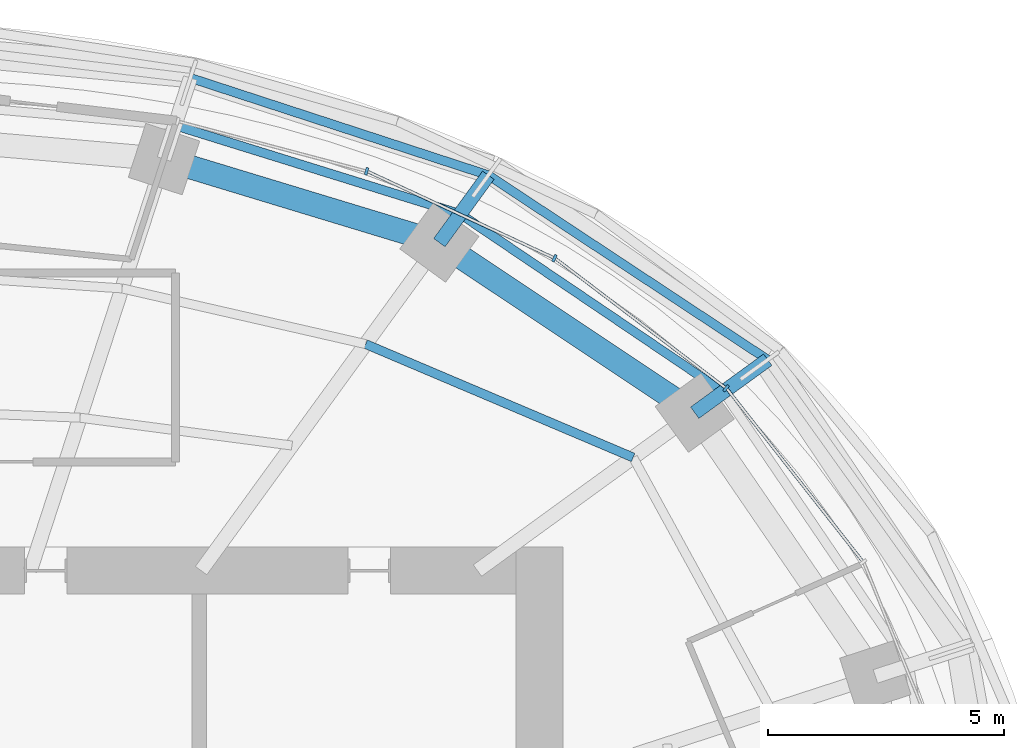
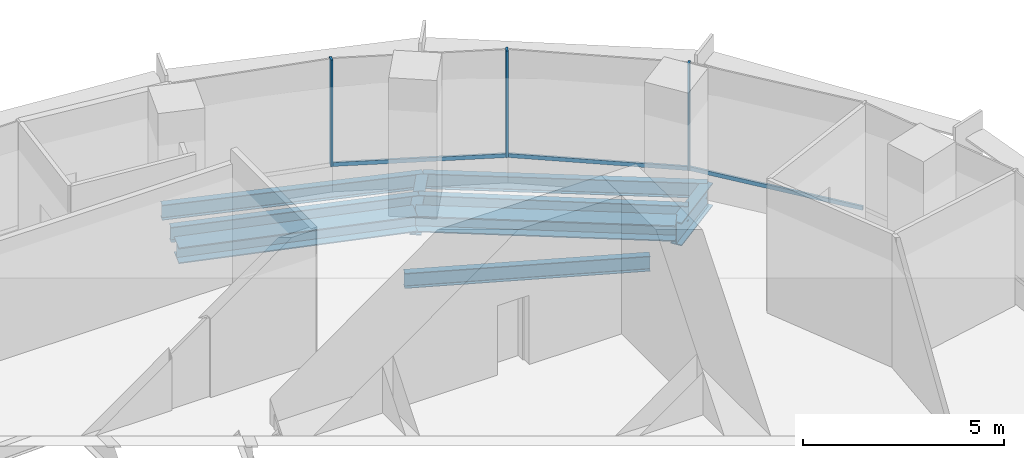
# One storey, part 8 of 15: 8 members, 7 beams, 2 elements without a shape of their own.
"""IFC4 building model written with IfcOpenShell, lengths in metres."""

from ifc_helpers import new_model, si_unit, direction, frame, origin, origin_2d, place, context, subcontext, project, spatial, rectangle, i_section, extrude, material, material_profile, profile_set, type_object, element, aggregate, save


model = new_model("IFC4")

# Units and contexts
model_context = context("Model", 3, precision=1e-05, world=origin(), true_north=direction((0.0, 1.0)))
body_context = subcontext(model_context, "Body", "Model", "MODEL_VIEW")
ifc_project = project(units=[si_unit("LENGTHUNIT", "METRE"), si_unit("AREAUNIT", "SQUARE_METRE"), si_unit("VOLUMEUNIT", "CUBIC_METRE"), si_unit("PLANEANGLEUNIT", "RADIAN"), si_unit("MASSUNIT", "GRAM", prefix="KILO")], contexts=[model_context])

# Site, building, storey
site_placement = place(None, origin())
site = spatial("IfcSite", under=ifc_project, at=site_placement, CompositionType="ELEMENT")
building_placement = place(site_placement, origin())
building = spatial("IfcBuilding", under=site, at=building_placement, Name="Marramba Exchange Tower", CompositionType="ELEMENT")
storey_placement = place(building_placement, frame((0.0, 0.0, 251.800048828125)))
storey = spatial("IfcBuildingStorey", under=building, at=storey_placement, Name="L61", CompositionType="ELEMENT", Elevation=251.800048828125)

# Members
ifc_material_1 = material(Name="Steel AS/NZS 3679.2 grade 300", Category="steel")
ifc_material_profile_1 = material_profile(ifc_material_1, i_section(OverallWidth=0.5, OverallDepth=0.48388671875, WebThickness=0.02490234375, FlangeThickness=0.031982421875, at=origin_2d()), Name="500WC340")
ifc_profile_set_1 = profile_set([ifc_material_profile_1], Name="Steel AS/NZS 3679.2 grade 300")
member_type_1 = type_object("IfcMemberType", Name="Belt truss chord 500WC340", PredefinedType="CHORD", material=ifc_profile_set_1)
member_1_placement = place(storey_placement, frame((16.98583984375, 12.3408203125, -0.442138671875), z_axis=(-0.832293151443, 0.554335737673, 0.0), x_axis=(-0.554335737673, -0.832293151443, 0.0)))
element("IfcMember", 1, at=member_1_placement, inside=storey, type_object=member_type_1, Name="Belt chord L61 TC03-TC04", PredefinedType="CHORD", context=body_context, shape_type="SweptSolid", body=[
    extrude(i_section(OverallWidth=0.5, OverallDepth=0.48388671875, WebThickness=0.02490234375, FlangeThickness=0.031982421875, at=origin_2d()), origin(), (0.0, 0.0, 1.0), 6.49365234375),
])
member_2_placement = place(storey_placement, frame((11.581298828125, 15.9404296875, -0.442138671875), z_axis=(-0.956924542524, 0.290336735387, 0.0), x_axis=(-0.290336735387, -0.956924542524, 0.0)))
element("IfcMember", 2, at=member_2_placement, inside=storey, type_object=member_type_1, Name="Belt chord L61 TC04-TC05", PredefinedType="CHORD", context=body_context, shape_type="SweptSolid", body=[
    extrude(i_section(OverallWidth=0.5, OverallDepth=0.48388671875, WebThickness=0.02490234375, FlangeThickness=0.031982421875, at=origin_2d()), origin(), (0.0, 0.0, 1.0), 6.089599609375),
])

# Beams
ifc_material_profile_2 = material_profile(ifc_material_1, i_section(OverallWidth=0.300048828125, OverallDepth=0.699951171875, WebThickness=0.010009765625, FlangeThickness=0.031982421875, at=origin_2d()), Name="700WB173")
ifc_profile_set_2 = profile_set([ifc_material_profile_2], Name="Steel AS/NZS 3679.2 grade 300")
beam_type_1 = type_object("IfcBeamType", Name="Cantilever girder 700WB173", PredefinedType="BEAM", material=ifc_profile_set_2)
beam_1_placement = place(storey_placement, frame((16.98583984375, 12.3408203125, -0.60009765625), z_axis=(0.808962750283, 0.587859905636, 0.0), x_axis=(-0.587859905636, 0.808962750283, 0.0)))
element("IfcBeam", 3, at=beam_1_placement, inside=storey, type_object=beam_type_1, Name="Cantilever girder L61 TC03", PredefinedType="BEAM", context=body_context, shape_type="SweptSolid", body=[
    extrude(i_section(OverallWidth=0.300048828125, OverallDepth=0.699951171875, WebThickness=0.010009765625, FlangeThickness=0.031982421875, at=origin_2d()), origin(), (0.0, 0.0, 1.0), 1.9091796875),
])
beam_2_placement = place(storey_placement, frame((11.581298828125, 15.9404296875, -0.60009765625), z_axis=(0.587817766387, 0.808993370504, 0.0), x_axis=(-0.808993370504, 0.587817766387, 0.0)))
element("IfcBeam", 4, at=beam_2_placement, inside=storey, type_object=beam_type_1, Name="Cantilever girder L61 TC04", PredefinedType="BEAM", context=body_context, shape_type="SweptSolid", body=[
    extrude(i_section(OverallWidth=0.300048828125, OverallDepth=0.699951171875, WebThickness=0.010009765625, FlangeThickness=0.031982421875, at=origin_2d()), origin(), (0.0, 0.0, 1.0), 1.763916015625),
])

# Curtain wall, members
ifc_material_2 = material(Name="Aluminium framing, bronze anodised", Category="aluminium")
curtain_wall_type = type_object("IfcCurtainWallType", Name="Executive floor ribbon curtain wall", PredefinedType="USERDEFINED", material=ifc_material_2)
curtain_wall_1_placement = place(storey_placement, origin())
curtain_wall_1 = element("IfcCurtainWall", 5, at=curtain_wall_1_placement, inside=storey, type_object=curtain_wall_type, Name="Curtain wall CW5 L61 F01-F05", ObjectType="RIBBON CURTAIN WALL", PredefinedType="USERDEFINED")
ifc_material_3 = material(Name="Aluminium mullion, bronze anodised", Category="aluminium")
ifc_material_profile_3 = material_profile(ifc_material_3, rectangle(XDim=0.159912109375, YDim=0.06005859375, at=origin_2d()), Name="CW5 mullion 60x160")
ifc_profile_set_3 = profile_set([ifc_material_profile_3], Name="Aluminium mullion, bronze anodised")
member_type_2 = type_object("IfcMemberType", Name="Executive floor ribbon curtain wall mullion", PredefinedType="MULLION", material=ifc_profile_set_3)
member_3_placement = place(storey_placement, frame((17.6494140625, 12.858642578125, 0.800048828125), z_axis=(0.0, 0.0, 1.0), x_axis=(-0.605219156516, -0.796058900199, 0.0)))
member_3 = element("IfcMember", 6, at=member_3_placement, type_object=member_type_2, Name="CW5 mullion 1", PredefinedType="MULLION", context=body_context, shape_type="SweptSolid", body=[
    extrude(rectangle(XDim=0.159912109375, YDim=0.06005859375, at=origin_2d()), origin(), (0.0, 0.0, 1.0), 3.239990234375),
])
member_4_placement = place(storey_placement, frame((14.01806640625, 15.611572265625, 0.800048828125), z_axis=(0.0, 0.0, 1.0), x_axis=(-0.420849274712, -0.90713057934, 0.0)))
member_4 = element("IfcMember", 7, at=member_4_placement, type_object=member_type_2, Name="CW5 mullion 1", PredefinedType="MULLION", context=body_context, shape_type="SweptSolid", body=[
    extrude(rectangle(XDim=0.159912109375, YDim=0.06005859375, at=origin_2d()), origin(), (0.0, 0.0, 1.0), 3.239990234375),
])

# Curtain wall, member
curtain_wall_2_placement = place(storey_placement, origin())
curtain_wall_2 = element("IfcCurtainWall", 8, at=curtain_wall_2_placement, inside=storey, type_object=curtain_wall_type, Name="Curtain wall CW5 L61 F06", ObjectType="RIBBON CURTAIN WALL", PredefinedType="USERDEFINED")
member_5_placement = place(storey_placement, frame((10.04150390625, 17.450439453125, 0.800048828125), z_axis=(0.0, 0.0, 1.0), x_axis=(-0.256125574813, -0.966643517501, 0.0)))
member_5 = element("IfcMember", 9, at=member_5_placement, type_object=member_type_2, Name="CW5 mullion 1", PredefinedType="MULLION", context=body_context, shape_type="SweptSolid", body=[
    extrude(rectangle(XDim=0.159912109375, YDim=0.06005859375, at=origin_2d()), origin(), (0.0, 0.0, 1.0), 3.239990234375),
])
aggregate(curtain_wall_2, [member_5])

# Member
ifc_material_4 = material(Name="Aluminium transom, bronze anodised", Category="aluminium")
ifc_material_profile_4 = material_profile(ifc_material_4, rectangle(XDim=0.06005859375, YDim=0.1201171875, at=origin_2d()), Name="CW5 transom 60x120")
ifc_profile_set_4 = profile_set([ifc_material_profile_4], Name="Aluminium transom, bronze anodised")
member_type_3 = type_object("IfcMemberType", Name="Executive floor ribbon curtain wall transom", PredefinedType="USERDEFINED", material=ifc_profile_set_4)
member_6_placement = place(storey_placement, frame((20.532470703125, 9.205322265625, 0.829833984375), z_axis=(-0.618203819414, 0.78601783546, 0.0), x_axis=(-0.78601783546, -0.618203819414, 0.0)))
member_6 = element("IfcMember", 10, at=member_6_placement, type_object=member_type_3, Name="CW5 sill transom", ObjectType="TRANSOM", PredefinedType="USERDEFINED", context=body_context, shape_type="SweptSolid", body=[
    extrude(rectangle(XDim=0.06005859375, YDim=0.1201171875, at=origin_2d()), origin(), (0.0, 0.0, 1.0), 4.625),
])

member_7_placement = place(storey_placement, frame((17.625732421875, 12.876708984375, 0.829833984375), z_axis=(-0.796061771764, 0.605215379461, 0.0), x_axis=(-0.605215379461, -0.796061771764, 0.0)))
member_7 = element("IfcMember", 11, at=member_7_placement, type_object=member_type_3, Name="CW5 sill transom", ObjectType="TRANSOM", PredefinedType="USERDEFINED", context=body_context, shape_type="SweptSolid", body=[
    extrude(rectangle(XDim=0.06005859375, YDim=0.1201171875, at=origin_2d()), origin(), (0.0, 0.0, 1.0), 4.497802734375),
])

member_8_placement = place(storey_placement, frame((13.99072265625, 15.6240234375, 0.829833984375), z_axis=(-0.907117597316, 0.420877256026, 0.0), x_axis=(-0.420877256026, -0.907117597316, 0.0)))
member_8 = element("IfcMember", 12, at=member_8_placement, type_object=member_type_3, Name="CW5 sill transom", ObjectType="TRANSOM", PredefinedType="USERDEFINED", context=body_context, shape_type="SweptSolid", body=[
    extrude(rectangle(XDim=0.06005859375, YDim=0.1201171875, at=origin_2d()), origin(), (0.0, 0.0, 1.0), 4.321533203125),
])

aggregate(curtain_wall_1, [member_6, member_3, member_7, member_4, member_8])

# Beams
ifc_material_5 = material(Name="Steel AS/NZS 3679.1 grade 300", Category="steel")
ifc_material_profile_5 = material_profile(ifc_material_5, i_section(OverallWidth=0.19091796875, OverallDepth=0.4599609375, WebThickness=0.010009765625, FlangeThickness=0.01611328125, FilletRadius=0.011474609375, at=origin_2d()), Name="460UB82.1")
ifc_profile_set_5 = profile_set([ifc_material_profile_5], Name="Steel AS/NZS 3679.1 grade 300")
beam_type_2 = type_object("IfcBeamType", Name="Floor joist 460UB82.1", PredefinedType="JOIST", material=ifc_profile_set_5)
beam_3_placement = place(storey_placement, frame((15.682373046875, 11.393798828125, -0.429931640625), z_axis=(-0.920674336375, 0.390331610738, 0.0), x_axis=(-0.390331610738, -0.920674336375, 0.0)))
element("IfcBeam", 13, at=beam_3_placement, inside=storey, type_object=beam_type_2, Name="Joist L61 bay 03 row 2", PredefinedType="JOIST", context=body_context, shape_type="SweptSolid", body=[
    extrude(i_section(OverallWidth=0.19091796875, OverallDepth=0.4599609375, WebThickness=0.010009765625, FlangeThickness=0.01611328125, FilletRadius=0.011474609375, at=origin_2d()), origin(), (0.0, 0.0, 1.0), 6.1484375),
])
ifc_material_profile_6 = material_profile(ifc_material_5, i_section(OverallWidth=0.19091796875, OverallDepth=0.4599609375, WebThickness=0.010009765625, FlangeThickness=0.01611328125, FilletRadius=0.011474609375, at=origin_2d()), Name="460UB82.1")
ifc_profile_set_6 = profile_set([ifc_material_profile_6], Name="Steel AS/NZS 3679.1 grade 300")
beam_type_3 = type_object("IfcBeamType", Name="Slab edge beam 460UB82.1", PredefinedType="SPANDREL", material=ifc_profile_set_6)
beam_4_placement = place(storey_placement, frame((18.5302734375, 13.463134765625, -0.47998046875), z_axis=(-0.834459826117, 0.551068778463, 0.0), x_axis=(-0.551068778463, -0.834459826117, 0.0)))
element("IfcBeam", 14, at=beam_4_placement, inside=storey, type_object=beam_type_3, Name="Setback roof edge beam L61 TC03-TC04", PredefinedType="SPANDREL", context=body_context, shape_type="SweptSolid", body=[
    extrude(i_section(OverallWidth=0.19091796875, OverallDepth=0.4599609375, WebThickness=0.010009765625, FlangeThickness=0.01611328125, FilletRadius=0.011474609375, at=origin_2d()), origin(), (0.0, 0.0, 1.0), 7.0849609375),
])
beam_5_placement = place(storey_placement, frame((12.6181640625, 17.367431640625, -0.47998046875), z_axis=(-0.950608559101, 0.310392279809, 0.0), x_axis=(-0.310392279809, -0.950608559101, 0.0)))
element("IfcBeam", 15, at=beam_5_placement, inside=storey, type_object=beam_type_3, Name="Setback roof edge beam L61 TC04-TC05", PredefinedType="SPANDREL", context=body_context, shape_type="SweptSolid", body=[
    extrude(i_section(OverallWidth=0.19091796875, OverallDepth=0.4599609375, WebThickness=0.010009765625, FlangeThickness=0.01611328125, FilletRadius=0.011474609375, at=origin_2d()), origin(), (0.0, 0.0, 1.0), 6.6337890625),
])
beam_6_placement = place(storey_placement, frame((17.592529296875, 12.78173828125, -0.429931640625), z_axis=(-0.828474682464, 0.560026517691, 0.0), x_axis=(-0.560026517691, -0.828474682464, 0.0)))
element("IfcBeam", 16, at=beam_6_placement, inside=storey, type_object=beam_type_3, Name="Slab edge beam L61 TC03-TC04", PredefinedType="SPANDREL", context=body_context, shape_type="SweptSolid", body=[
    extrude(i_section(OverallWidth=0.19091796875, OverallDepth=0.4599609375, WebThickness=0.010009765625, FlangeThickness=0.01611328125, FilletRadius=0.011474609375, at=origin_2d()), origin(), (0.0, 0.0, 1.0), 6.7236328125),
])
beam_7_placement = place(storey_placement, frame((12.022216796875, 16.547119140625, -0.429931640625), z_axis=(-0.95500492577, 0.296589938728, 0.0), x_axis=(-0.296589938728, -0.95500492577, 0.0)))
element("IfcBeam", 17, at=beam_7_placement, inside=storey, type_object=beam_type_3, Name="Slab edge beam L61 TC04-TC05", PredefinedType="SPANDREL", context=body_context, shape_type="SweptSolid", body=[
    extrude(i_section(OverallWidth=0.19091796875, OverallDepth=0.4599609375, WebThickness=0.010009765625, FlangeThickness=0.01611328125, FilletRadius=0.011474609375, at=origin_2d()), origin(), (0.0, 0.0, 1.0), 6.321044921875),
])

save(model, "model.ifc")
